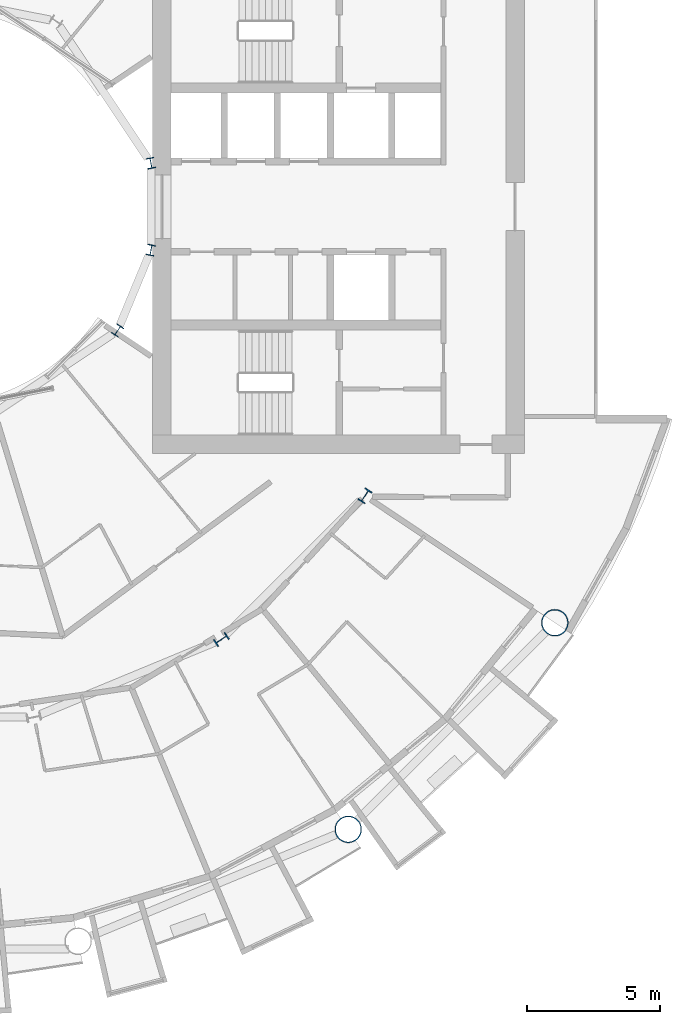
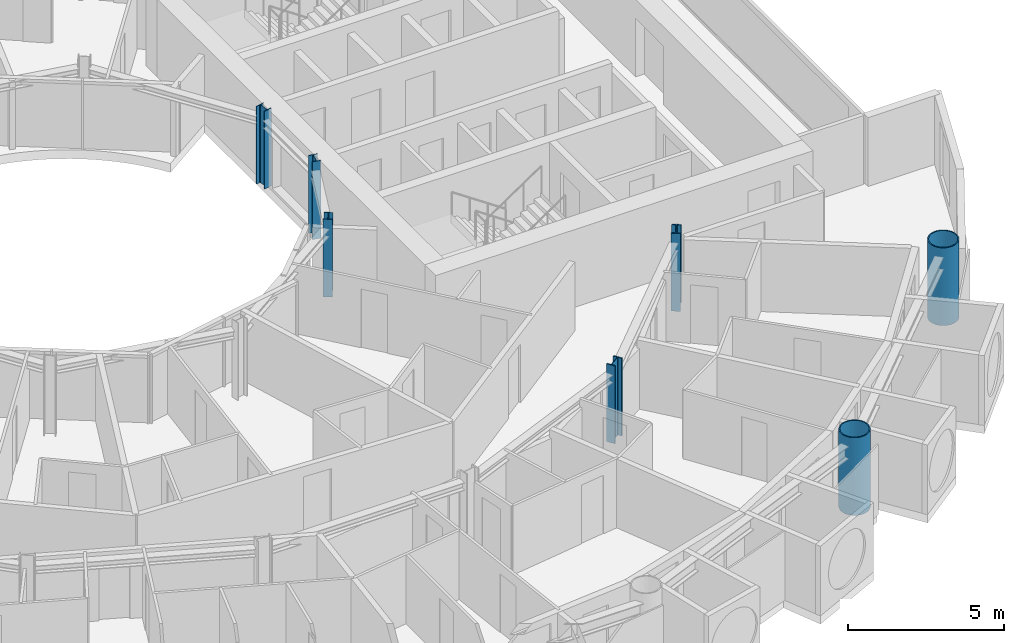
# One storey, part 2 of 26: 7 columns.
"""IFC4 building model written with IfcOpenShell, lengths in metres."""

from ifc_helpers import new_model, si_unit, direction, frame, origin, origin_2d, place, context, subcontext, project, spatial, hollow_circle, i_section, extrude, material, material_profile, profile_set, type_object, element, save


model = new_model("IFC4")

# Units and contexts
model_context = context("Model", 3, precision=1e-05, world=origin(), true_north=direction((0.0, 1.0)))
body_context = subcontext(model_context, "Body", "Model", "MODEL_VIEW")
ifc_project = project(units=[si_unit("LENGTHUNIT", "METRE"), si_unit("AREAUNIT", "SQUARE_METRE"), si_unit("VOLUMEUNIT", "CUBIC_METRE"), si_unit("PLANEANGLEUNIT", "RADIAN"), si_unit("MASSUNIT", "GRAM", prefix="KILO")], contexts=[model_context])

# Site, building, storey
site_placement = place(None, origin())
site = spatial("IfcSite", under=ifc_project, at=site_placement, CompositionType="ELEMENT")
building_placement = place(site_placement, origin())
building = spatial("IfcBuilding", under=site, at=building_placement, Name="Maasbend Ring Residences", CompositionType="ELEMENT")
storey_placement = place(building_placement, frame((0.0, 0.0, 78.85009765625)))
storey = spatial("IfcBuildingStorey", under=building, at=storey_placement, Name="L22", CompositionType="ELEMENT", Elevation=78.85009765625)

# Columns
ifc_material_1 = material(Name="Composite concrete-filled steel tube S460NH / C80/95", Category="concrete")
ifc_material_profile_1 = material_profile(ifc_material_1, hollow_circle(Radius=0.508056640625, WallThickness=0.0400390625, at=origin_2d()), Name="Composite tube column CHS 1016x40")
ifc_profile_set_1 = profile_set([ifc_material_profile_1], Name="Composite concrete-filled steel tube S460NH / C80/95")
column_type_1 = type_object("IfcColumnType", Name="Composite tube column CHS 1016x40", PredefinedType="COLUMN", material=ifc_profile_set_1)
for number, where, z_axis, x_axis, name in (
    (1, (15.6669921875, -23.447509765625, 0.0), (0.0, 0.0, 1.0), (1.0, 0.0, 0.0), "Outer column R14"),
    (2, (23.447509765625, -15.6669921875, 0.0), (0.0, 0.0, 1.0), (1.0, 0.0, 0.0), "Outer column R15"),
):
    element("IfcColumn", number, at=place(storey_placement, frame(where, z_axis=z_axis, x_axis=x_axis)), inside=storey, type_object=column_type_1, Name=name, PredefinedType="COLUMN", context=body_context, shape_type="SweptSolid", body=[
        extrude(hollow_circle(Radius=0.508056640625, WallThickness=0.0400390625, at=origin_2d()), origin(), (0.0, 0.0, 1.0), 3.0498046875),
    ])
ifc_material_2 = material(Name="Steel S355J2", Category="steel")
ifc_material_profile_2 = material_profile(ifc_material_2, i_section(OverallWidth=0.300048828125, OverallDepth=0.39990234375, WebThickness=0.013427734375, FlangeThickness=0.02392578125, FilletRadius=0.027099609375, at=origin_2d()), Name="HEB 400")
ifc_profile_set_2 = profile_set([ifc_material_profile_2], Name="Steel S355J2")
column_type_2 = type_object("IfcColumnType", Name="Steel column HEB 400", PredefinedType="COLUMN", material=ifc_profile_set_2)
for number, where, z_axis, x_axis, name in (
    (3, (8.238525390625, 1.638916015625, 0.0), (0.0, 0.0, 1.0), (0.980785280403, 0.195090322016, 0.0), "Well ring column R1"),
    (4, (6.984375, -4.666748046875, 0.0), (0.0, 0.0, 1.0), (0.831469612303, -0.55557023302, 0.0), "Well ring column R15"),
    (5, (8.238525390625, -1.638916015625, 0.0), (0.0, 0.0, 1.0), (0.980785280403, -0.195090322016, 0.0), "Well ring column R16"),
):
    element("IfcColumn", number, at=place(storey_placement, frame(where, z_axis=z_axis, x_axis=x_axis)), inside=storey, type_object=column_type_2, Name=name, PredefinedType="COLUMN", context=body_context, shape_type="SweptSolid", body=[
        extrude(i_section(OverallWidth=0.300048828125, OverallDepth=0.39990234375, WebThickness=0.013427734375, FlangeThickness=0.02392578125, FilletRadius=0.027099609375, at=origin_2d()), origin(), (0.0, 0.0, 1.0), 3.0498046875),
    ])
ifc_material_3 = material(Name="Steel S460M", Category="steel")
ifc_material_profile_3 = material_profile(ifc_material_3, i_section(OverallWidth=0.305908203125, OverallDepth=0.52392578125, WebThickness=0.02099609375, FlangeThickness=0.0400390625, FilletRadius=0.027099609375, at=origin_2d()), Name="HEM 500")
ifc_profile_set_3 = profile_set([ifc_material_profile_3], Name="Steel S460M")
column_type_3 = type_object("IfcColumnType", Name="Steel column HEM 500", PredefinedType="COLUMN", material=ifc_profile_set_3)
for number, where, z_axis, x_axis, name in (
    (6, (10.88916015625, -16.296875, 0.0), (0.0, 0.0, 1.0), (0.55557023302, -0.831469612303, 0.0), "Corridor ring column R14"),
    (7, (16.296875, -10.88916015625, 0.0), (0.0, 0.0, 1.0), (0.831469612303, -0.55557023302, 0.0), "Corridor ring column R15"),
):
    element("IfcColumn", number, at=place(storey_placement, frame(where, z_axis=z_axis, x_axis=x_axis)), inside=storey, type_object=column_type_3, Name=name, PredefinedType="COLUMN", context=body_context, shape_type="SweptSolid", body=[
        extrude(i_section(OverallWidth=0.305908203125, OverallDepth=0.52392578125, WebThickness=0.02099609375, FlangeThickness=0.0400390625, FilletRadius=0.027099609375, at=origin_2d()), origin(), (0.0, 0.0, 1.0), 3.0498046875),
    ])

save(model, "model.ifc")
